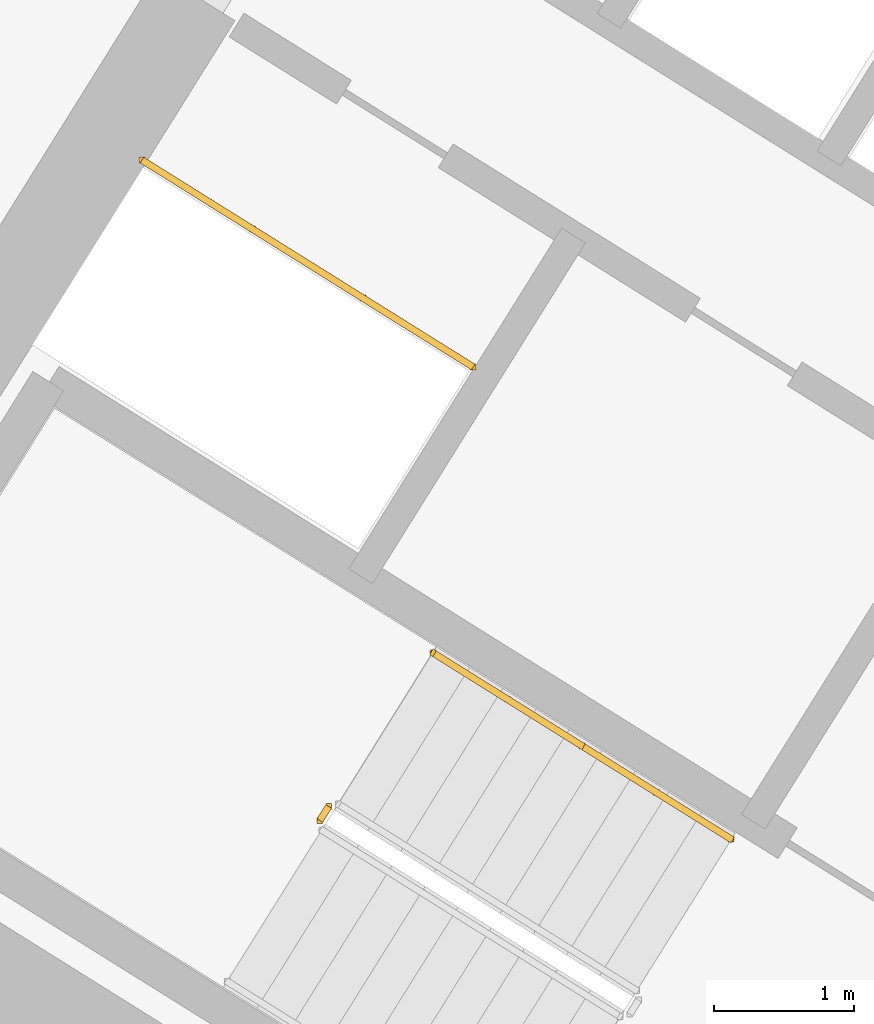
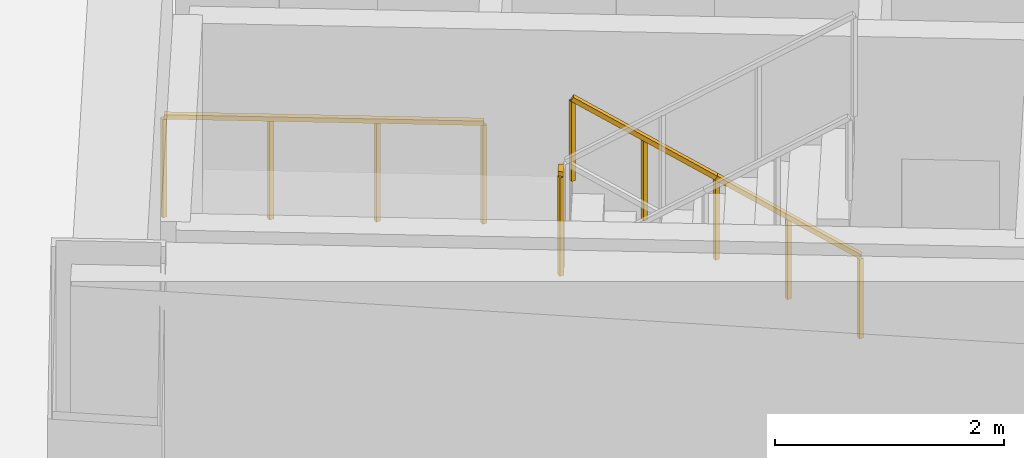
# One storey, part 24 of 28: 4 railings.
"""IFC4 building model written with IfcOpenShell, lengths in metres."""

from ifc_helpers import new_model, si_unit, direction, frame, origin, origin_2d, place, context, subcontext, project, spatial, rectangle, extrude, source, transform, mapped, material, type_object, element, save


model = new_model("IFC4")

# Units and contexts
model_context = context("Model", 3, precision=1e-05, world=origin(), true_north=direction((0.0, 1.0)))
body_context = subcontext(model_context, "Body", "Model", "MODEL_VIEW")
ifc_project = project(units=[si_unit("LENGTHUNIT", "METRE"), si_unit("AREAUNIT", "SQUARE_METRE"), si_unit("VOLUMEUNIT", "CUBIC_METRE"), si_unit("PLANEANGLEUNIT", "RADIAN"), si_unit("MASSUNIT", "GRAM", prefix="KILO")], contexts=[model_context])

# Site, building, storey
site_placement = place(None, origin())
site = spatial("IfcSite", under=ifc_project, at=site_placement, CompositionType="ELEMENT")
building_placement = place(site_placement, origin())
building = spatial("IfcBuilding", under=site, at=building_placement, Name="Tlacorven Tower", CompositionType="ELEMENT")
storey_placement = place(building_placement, frame((0.0, 0.0, 27.60009765625)))
storey = spatial("IfcBuildingStorey", under=building, at=storey_placement, Name="L06", CompositionType="ELEMENT", Elevation=27.60009765625)

# Railings
ifc_material = material(Name="Aluminium and painted steel balustrade", Category="steel")
railing_type_1 = type_object("IfcRailingType", Name="RL-GRD-1100", PredefinedType="GUARDRAIL", material=ifc_material)
shared_shape_1 = source(origin(), body_context, "Body", "SweptSolid", [
    extrude(rectangle(XDim=0.048095703125, YDim=0.048095703125, at=origin_2d()), frame((0.0, 0.0, 1.076171875), z_axis=(-0.848091358275, 0.529850024081, 0.0), x_axis=(-0.529850024081, -0.848091358275, 0.0)), (0.0, 0.0, 1.0), 2.800048828125),
    extrude(rectangle(XDim=0.0419921875, YDim=0.0419921875, at=origin_2d()), origin(), (0.0, 0.0, 1.0), 1.052001953125),
    extrude(rectangle(XDim=0.0419921875, YDim=0.0419921875, at=origin_2d()), frame((-0.79150390625, 0.49462890625, 0.0)), (0.0, 0.0, 1.0), 1.052001953125),
    extrude(rectangle(XDim=0.0419921875, YDim=0.0419921875, at=origin_2d()), frame((-1.583251953125, 0.989013671875, 0.0)), (0.0, 0.0, 1.0), 1.052001953125),
    extrude(rectangle(XDim=0.0419921875, YDim=0.0419921875, at=origin_2d()), frame((-2.374755859375, 1.483642578125, 0.0)), (0.0, 0.0, 1.0), 1.052001953125),
])
railing_1_placement = place(storey_placement, frame((27.9912109375, 22.32080078125, 0.0)))
element("IfcRailing", 1, at=railing_1_placement, inside=storey, type_object=railing_type_1, Name="L06 Electrical Riser W Shaft Guard 1", PredefinedType="GUARDRAIL", context=body_context, shape_type="MappedRepresentation", body=[
    mapped(shared_shape_1, transform((0.0, 0.0, 0.0), scale=1.0)),
])
shared_shape_2 = source(origin(), body_context, "Body", "SweptSolid", [
    extrude(rectangle(XDim=0.048095703125, YDim=0.048095703125, at=origin_2d()), frame((0.0, 0.0, 1.076171875), z_axis=(-0.530546985787, -0.847655529016, 0.0), x_axis=(0.847655529016, -0.530546985787, 0.0)), (0.0, 0.0, 1.0), 0.1201171875),
    extrude(rectangle(XDim=0.0419921875, YDim=0.0419921875, at=origin_2d()), origin(), (0.0, 0.0, 1.0), 1.052001953125),
    extrude(rectangle(XDim=0.0419921875, YDim=0.0419921875, at=origin_2d()), frame((-0.063720703125, -0.101806640625, 0.0)), (0.0, 0.0, 1.0), 1.052001953125),
])
railing_2_placement = place(storey_placement, frame((26.954833984375, 19.17138671875, 1.7998046875)))
element("IfcRailing", 2, at=railing_2_placement, inside=storey, type_object=railing_type_1, Name="L06 ST-W1 stair guard 2", PredefinedType="GUARDRAIL", context=body_context, shape_type="MappedRepresentation", body=[
    mapped(shared_shape_2, transform((0.0, 0.0, 0.0), scale=1.0)),
])
railing_type_2 = type_object("IfcRailingType", Name="RL-HND-0900", PredefinedType="HANDRAIL", material=ifc_material)
shared_shape_3 = source(origin(), body_context, "Body", "SweptSolid", [
    extrude(rectangle(XDim=0.048095703125, YDim=0.048095703125, at=origin_2d()), frame((0.0, 0.0, 0.8759765625), z_axis=(-0.713359751793, 0.4457479829, 0.540764828981), x_axis=(-0.529911857636, -0.848052724267, 0.0)), (0.0, 0.0, 1.0), 1.498046875),
    extrude(rectangle(XDim=0.0419921875, YDim=0.0419921875, at=origin_2d()), origin(), (0.0, 0.0, 1.0), 0.851806640625),
    extrude(rectangle(XDim=0.0419921875, YDim=0.0419921875, at=origin_2d()), frame((-0.5341796875, 0.333984375, 0.405029296875)), (0.0, 0.0, 1.0), 0.851806640625),
    extrude(rectangle(XDim=0.0419921875, YDim=0.0419921875, at=origin_2d()), frame((-1.068603515625, 0.667724609375, 0.81005859375)), (0.0, 0.0, 1.0), 0.851806640625),
])
railing_3_placement = place(storey_placement, frame((29.839111328125, 18.937255859375, 0.179931640625)))
element("IfcRailing", 3, at=railing_3_placement, inside=storey, type_object=railing_type_2, Name="L06 ST-W1 stair handrail 1", PredefinedType="HANDRAIL", context=body_context, shape_type="MappedRepresentation", body=[
    mapped(shared_shape_3, transform((0.0, 0.0, 0.0), scale=1.0)),
])
shared_shape_4 = source(origin(), body_context, "Body", "SweptSolid", [
    extrude(rectangle(XDim=0.048095703125, YDim=0.048095703125, at=origin_2d()), frame((0.0, 0.0, 0.8759765625), z_axis=(-0.713422621445, 0.445787267455, 0.540649494022), x_axis=(-0.529911857636, -0.848052724267, 0.0)), (0.0, 0.0, 1.0), 1.497802734375),
    extrude(rectangle(XDim=0.0419921875, YDim=0.0419921875, at=origin_2d()), origin(), (0.0, 0.0, 1.0), 0.851806640625),
    extrude(rectangle(XDim=0.0419921875, YDim=0.0419921875, at=origin_2d()), frame((-0.5341796875, 0.333984375, 0.40478515625)), (0.0, 0.0, 1.0), 0.851806640625),
    extrude(rectangle(XDim=0.0419921875, YDim=0.0419921875, at=origin_2d()), frame((-1.068603515625, 0.667724609375, 0.809814453125)), (0.0, 0.0, 1.0), 0.851806640625),
])
railing_4_placement = place(storey_placement, frame((28.7705078125, 19.60498046875, 0.989990234375)))
element("IfcRailing", 4, at=railing_4_placement, inside=storey, type_object=railing_type_2, Name="L06 ST-W1 stair handrail 2", PredefinedType="HANDRAIL", context=body_context, shape_type="MappedRepresentation", body=[
    mapped(shared_shape_4, transform((0.0, 0.0, 0.0), scale=1.0)),
])

save(model, "model.ifc")
